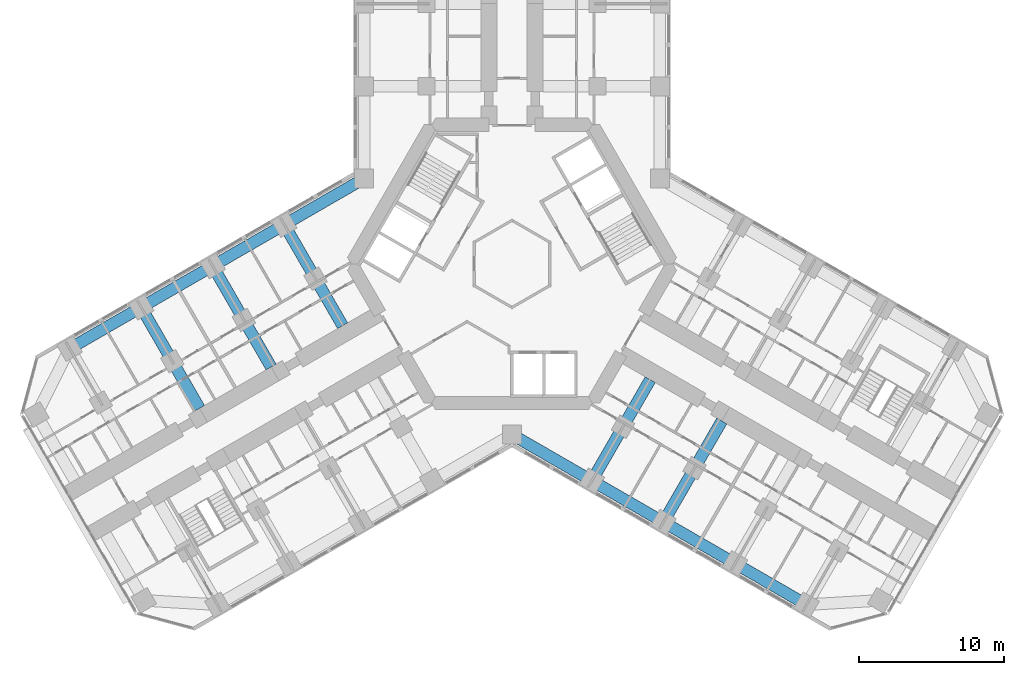
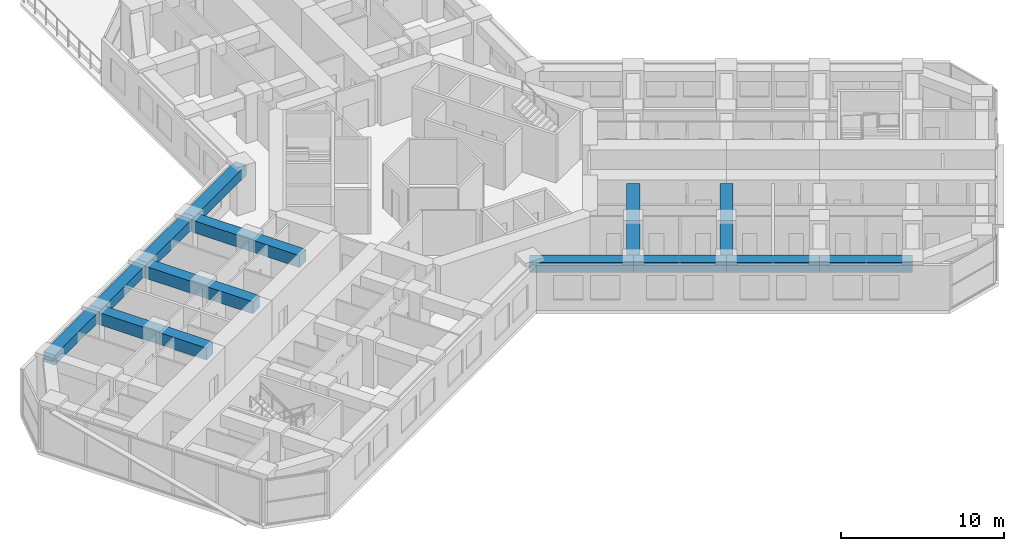
# One storey, part 4 of 19: 13 beams.
"""IFC4 building model written with IfcOpenShell, lengths in metres."""

from ifc_helpers import new_model, si_unit, direction, frame, origin, origin_2d, place, context, subcontext, project, spatial, rectangle, extrude, material, material_profile, profile_set, type_object, element, save


model = new_model("IFC4")

# Units and contexts
model_context = context("Model", 3, precision=1e-05, world=origin(), true_north=direction((0.0, 1.0)))
body_context = subcontext(model_context, "Body", "Model", "MODEL_VIEW")
ifc_project = project(units=[si_unit("LENGTHUNIT", "METRE"), si_unit("AREAUNIT", "SQUARE_METRE"), si_unit("VOLUMEUNIT", "CUBIC_METRE"), si_unit("PLANEANGLEUNIT", "RADIAN"), si_unit("MASSUNIT", "GRAM", prefix="KILO")], contexts=[model_context])

# Site, building, storey
site_placement = place(None, origin())
site = spatial("IfcSite", under=ifc_project, at=site_placement, CompositionType="ELEMENT")
building_placement = place(site_placement, origin())
building = spatial("IfcBuilding", under=site, at=building_placement, Name="Kosmar Iwan School Tower", CompositionType="ELEMENT")
storey_placement = place(building_placement, frame((0.0, 0.0, 120.199951171875)))
storey = spatial("IfcBuildingStorey", under=building, at=storey_placement, Name="L29", CompositionType="ELEMENT", Elevation=120.199951171875)

# Beams
ifc_material_1 = material(Name="Concrete C50/60", Category="concrete")
ifc_material_profile_1 = material_profile(ifc_material_1, rectangle(XDim=0.800048828125, YDim=0.75, at=origin_2d()), Name="RC 800x750")
ifc_profile_set_1 = profile_set([ifc_material_profile_1], Name="Concrete C50/60")
beam_type_1 = type_object("IfcBeamType", Name="RC edge beam 800x750", PredefinedType="BEAM", material=ifc_profile_set_1)
beam_1_placement = place(storey_placement, frame((-10.199951171875, 5.888916015625, 2.97509765625), z_axis=(-0.866030912664, -0.49999045822, 0.0), x_axis=(0.49999045822, -0.866030912664, 0.0)))
element("IfcBeam", 1, at=beam_1_placement, inside=storey, type_object=beam_type_1, Name="Edge beam BR1", PredefinedType="BEAM", context=body_context, shape_type="SweptSolid", body=[
    extrude(rectangle(XDim=0.800048828125, YDim=0.75, at=origin_2d()), origin(), (0.0, 0.0, 1.0), 6.36083984375),
])
beam_2_placement = place(storey_placement, frame((-15.708740234375, 2.70849609375, 2.97509765625), z_axis=(-0.866025820012, -0.499999279071, 0.0), x_axis=(0.499999279071, -0.866025820012, 0.0)))
element("IfcBeam", 2, at=beam_2_placement, inside=storey, type_object=beam_type_1, Name="Edge beam BR2", PredefinedType="BEAM", context=body_context, shape_type="SweptSolid", body=[
    extrude(rectangle(XDim=0.800048828125, YDim=0.75, at=origin_2d()), origin(), (0.0, 0.0, 1.0), 5.7001953125),
])
for number, where, z_axis, x_axis, name in (
    (3, (-20.645263671875, -0.1416015625, 2.97509765625), (-0.866033658841, -0.49998570155, 0.0), (0.49998570155, -0.866033658841, 0.0), "Edge beam BR3"),
    (4, (-25.58154296875, -2.991455078125, 2.97509765625), (-0.866015111908, -0.50001782563, 0.0), (0.50001782563, -0.866015111908, 0.0), "Edge beam BR4"),
):
    element("IfcBeam", number, at=place(storey_placement, frame(where, z_axis=z_axis, x_axis=x_axis)), inside=storey, type_object=beam_type_1, Name=name, PredefinedType="BEAM", context=body_context, shape_type="SweptSolid", body=[
        extrude(rectangle(XDim=0.800048828125, YDim=0.75, at=origin_2d()), origin(), (0.0, 0.0, 1.0), 5.699951171875),
    ])
beam_3_placement = place(storey_placement, frame((0.0, -11.77783203125, 2.97509765625), z_axis=(0.866014293216, -0.500019243575, 0.0), x_axis=(0.500019243575, 0.866014293216, 0.0)))
element("IfcBeam", 5, at=beam_3_placement, inside=storey, type_object=beam_type_1, Name="Edge beam CR1", PredefinedType="BEAM", context=body_context, shape_type="SweptSolid", body=[
    extrude(rectangle(XDim=0.800048828125, YDim=0.75, at=origin_2d()), origin(), (0.0, 0.0, 1.0), 6.361083984375),
])
beam_4_placement = place(storey_placement, frame((5.5087890625, -14.95849609375, 2.97509765625), z_axis=(0.866033658841, -0.49998570155, 0.0), x_axis=(0.49998570155, 0.866033658841, 0.0)))
element("IfcBeam", 6, at=beam_4_placement, inside=storey, type_object=beam_type_1, Name="Edge beam CR2", PredefinedType="BEAM", context=body_context, shape_type="SweptSolid", body=[
    extrude(rectangle(XDim=0.800048828125, YDim=0.75, at=origin_2d()), origin(), (0.0, 0.0, 1.0), 5.699951171875),
])
beam_5_placement = place(storey_placement, frame((10.445068359375, -17.808349609375, 2.97509765625), z_axis=(0.866025820012, -0.499999279071, 0.0), x_axis=(0.499999279071, 0.866025820012, 0.0)))
element("IfcBeam", 7, at=beam_5_placement, inside=storey, type_object=beam_type_1, Name="Edge beam CR3", PredefinedType="BEAM", context=body_context, shape_type="SweptSolid", body=[
    extrude(rectangle(XDim=0.800048828125, YDim=0.75, at=origin_2d()), origin(), (0.0, 0.0, 1.0), 5.7001953125),
])
beam_6_placement = place(storey_placement, frame((15.381591796875, -20.658447265625, 2.97509765625), z_axis=(0.866015111908, -0.50001782563, 0.0), x_axis=(0.50001782563, 0.866015111908, 0.0)))
element("IfcBeam", 8, at=beam_6_placement, inside=storey, type_object=beam_type_1, Name="Edge beam CR4", PredefinedType="BEAM", context=body_context, shape_type="SweptSolid", body=[
    extrude(rectangle(XDim=0.800048828125, YDim=0.75, at=origin_2d()), origin(), (0.0, 0.0, 1.0), 5.699951171875),
])
ifc_material_2 = material(Name="Concrete C50/60", Category="concrete")
ifc_material_profile_2 = material_profile(ifc_material_2, rectangle(XDim=0.800048828125, YDim=0.89990234375, at=origin_2d()), Name="RC 800x900")
ifc_profile_set_2 = profile_set([ifc_material_profile_2], Name="Concrete C50/60")
beam_type_2 = type_object("IfcBeamType", Name="RC transverse beam 800x900", PredefinedType="BEAM", material=ifc_profile_set_2)
beam_7_placement = place(storey_placement, frame((-15.708740234375, 2.70849609375, 2.900146484375), z_axis=(0.49999461055, -0.866028515362, 0.0), x_axis=(0.866028515362, 0.49999461055, 0.0)))
element("IfcBeam", 9, at=beam_7_placement, inside=storey, type_object=beam_type_2, Name="Transverse beam BR1", PredefinedType="BEAM", context=body_context, shape_type="SweptSolid", body=[
    extrude(rectangle(XDim=0.800048828125, YDim=0.89990234375, at=origin_2d()), origin(), (0.0, 0.0, 1.0), 8.0498046875),
])
beam_8_placement = place(storey_placement, frame((-20.645263671875, -0.1416015625, 2.900146484375), z_axis=(0.500017356524, -0.866015382759, 0.0), x_axis=(0.866015382759, 0.500017356524, 0.0)))
element("IfcBeam", 10, at=beam_8_placement, inside=storey, type_object=beam_type_2, Name="Transverse beam BR2", PredefinedType="BEAM", context=body_context, shape_type="SweptSolid", body=[
    extrude(rectangle(XDim=0.800048828125, YDim=0.89990234375, at=origin_2d()), origin(), (0.0, 0.0, 1.0), 8.050048828125),
])
beam_9_placement = place(storey_placement, frame((-25.58154296875, -2.991455078125, 2.900146484375), z_axis=(0.500004224108, -0.866022964981, 0.0), x_axis=(0.866022964981, 0.500004224108, 0.0)))
element("IfcBeam", 11, at=beam_9_placement, inside=storey, type_object=beam_type_2, Name="Transverse beam BR3", PredefinedType="BEAM", context=body_context, shape_type="SweptSolid", body=[
    extrude(rectangle(XDim=0.800048828125, YDim=0.89990234375, at=origin_2d()), origin(), (0.0, 0.0, 1.0), 8.05029296875),
])
beam_10_placement = place(storey_placement, frame((5.5087890625, -14.95849609375, 2.900146484375), z_axis=(0.49999461055, 0.866028515362, 0.0), x_axis=(-0.866028515362, 0.49999461055, 0.0)))
element("IfcBeam", 12, at=beam_10_placement, inside=storey, type_object=beam_type_2, Name="Transverse beam CR1", PredefinedType="BEAM", context=body_context, shape_type="SweptSolid", body=[
    extrude(rectangle(XDim=0.800048828125, YDim=0.89990234375, at=origin_2d()), origin(), (0.0, 0.0, 1.0), 8.0498046875),
])
beam_11_placement = place(storey_placement, frame((10.445068359375, -17.808349609375, 2.900146484375), z_axis=(0.500017356524, 0.866015382759, 0.0), x_axis=(-0.866015382759, 0.500017356524, 0.0)))
element("IfcBeam", 13, at=beam_11_placement, inside=storey, type_object=beam_type_2, Name="Transverse beam CR2", PredefinedType="BEAM", context=body_context, shape_type="SweptSolid", body=[
    extrude(rectangle(XDim=0.800048828125, YDim=0.89990234375, at=origin_2d()), origin(), (0.0, 0.0, 1.0), 8.050048828125),
])

save(model, "model.ifc")
